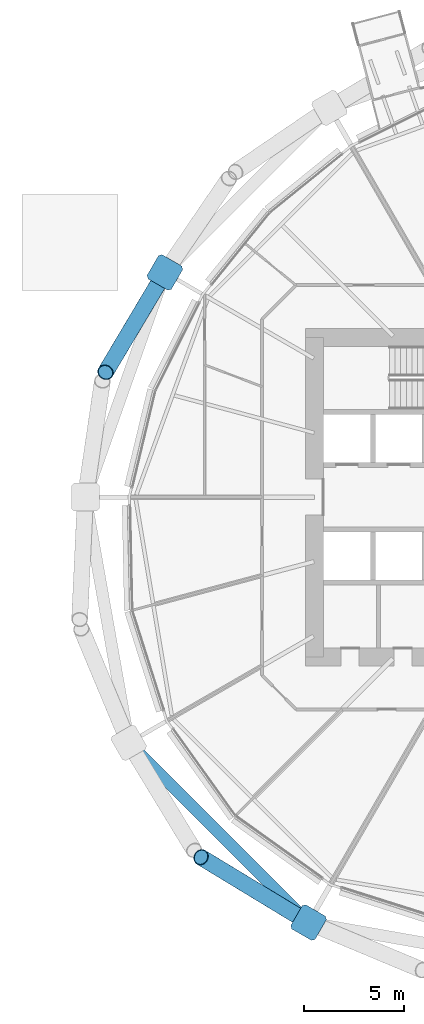
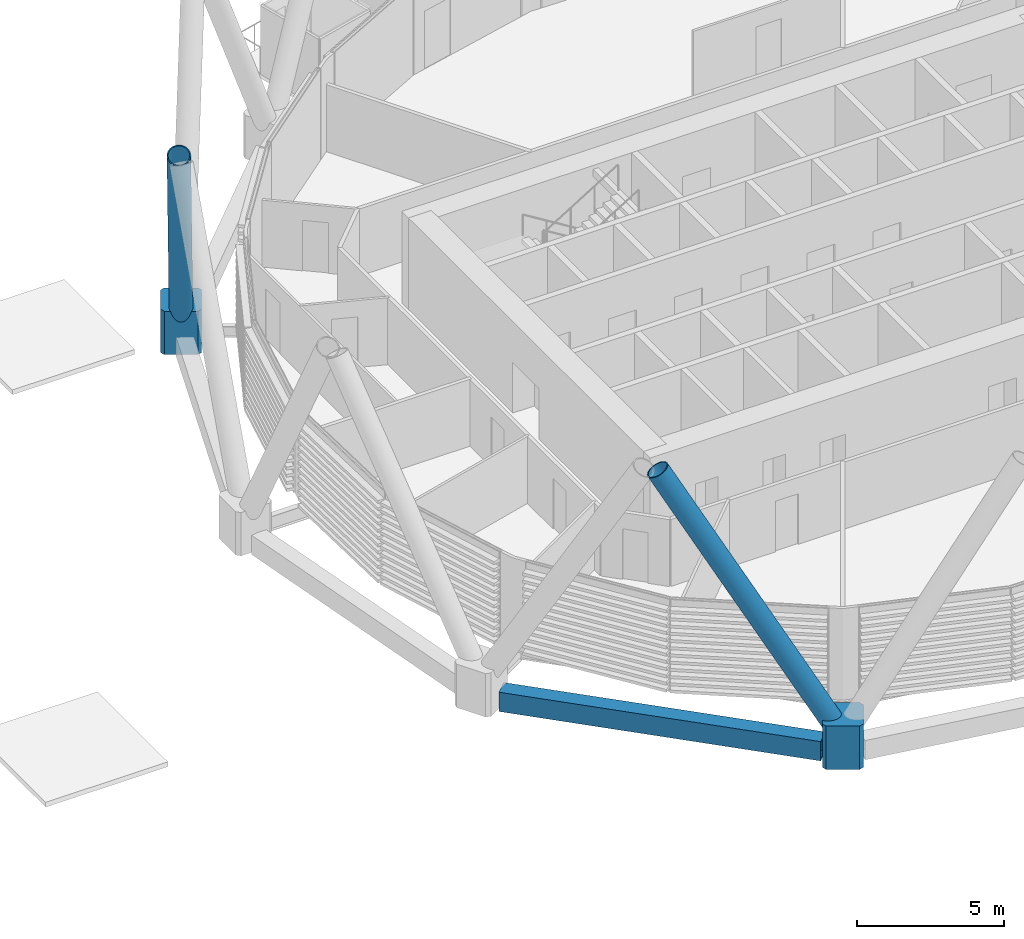
# One storey, part 13 of 34: 4 members, 1 beam.
"""IFC4 building model written with IfcOpenShell, lengths in metres."""

from ifc_helpers import new_model, si_unit, direction, frame, origin, origin_2d, place, context, subcontext, project, spatial, polyline, hollow_rectangle, hollow_circle, outline, extrude, material, material_profile, profile_set, type_object, element, save


model = new_model("IFC4")

# Units and contexts
model_context = context("Model", 3, precision=1e-05, world=origin(), true_north=direction((0.0, 1.0)))
body_context = subcontext(model_context, "Body", "Model", "MODEL_VIEW")
ifc_project = project(units=[si_unit("LENGTHUNIT", "METRE"), si_unit("AREAUNIT", "SQUARE_METRE"), si_unit("VOLUMEUNIT", "CUBIC_METRE"), si_unit("PLANEANGLEUNIT", "RADIAN"), si_unit("MASSUNIT", "GRAM", prefix="KILO")], contexts=[model_context])

# Site, building, storey
site_placement = place(None, origin())
site = spatial("IfcSite", under=ifc_project, at=site_placement, CompositionType="ELEMENT")
building_placement = place(site_placement, origin())
building = spatial("IfcBuilding", under=site, at=building_placement, Name="Rimbun Link Towers", CompositionType="ELEMENT")
storey_placement = place(building_placement, frame((0.0, 0.0, 41.39990234375)))
storey = spatial("IfcBuildingStorey", under=building, at=storey_placement, Name="L09", CompositionType="ELEMENT", Elevation=41.39990234375)

# Members
ifc_material_1 = material(Name="Steel S460NH", Category="steel")
ifc_material_profile_1 = material_profile(ifc_material_1, hollow_circle(Radius=0.406494140625, WallThickness=0.0400390625, at=origin_2d()), Name="Diagrid diagonal CHS 813x40")
ifc_profile_set_1 = profile_set([ifc_material_profile_1], Name="Steel S460NH")
member_type_1 = type_object("IfcMemberType", Name="Diagrid diagonal CHS 813x40", PredefinedType="BRACE", material=ifc_profile_set_1)
member_1_placement = place(storey_placement, frame((12.1318359375, 11.055908203125, 0.441650390625), z_axis=(-0.239911989067, -0.403085764575, 0.883155764233), x_axis=(0.859311636057, -0.511452355686, 0.0)))
element("IfcMember", 1, at=member_1_placement, inside=storey, type_object=member_type_1, Name="Diagrid diagonal T2 L09-L12 07b", PredefinedType="BRACE", context=body_context, shape_type="SweptSolid", body=[
    extrude(hollow_circle(Radius=0.406494140625, WallThickness=0.0400390625, at=origin_2d()), origin(), (0.0, 0.0, 1.0), 11.908203125),
])
member_2_placement = place(storey_placement, frame((19.23583984375, -21.1767578125, 0.43359375), z_axis=(-0.426107998581, 0.258666804949, 0.86690452621), x_axis=(-0.518917122427, -0.854824555129, 0.0)))
element("IfcMember", 2, at=member_2_placement, inside=storey, type_object=member_type_1, Name="Diagrid diagonal T2 L09-L12 13a", PredefinedType="BRACE", context=body_context, shape_type="SweptSolid", body=[
    extrude(hollow_circle(Radius=0.406494140625, WallThickness=0.0400390625, at=origin_2d()), origin(), (0.0, 0.0, 1.0), 12.150146484375),
])
ifc_material_2 = material(Name="Cast steel G20Mn5+QT, Rp0.2 300 MPa", Category="steel")
ifc_material_profile_2 = material_profile(ifc_material_2, outline(polyline([(0.699951171875, -0.570068359375), (0.699951171875, 0.570068359375), (0.570068359375, 0.699951171875), (-0.570068359375, 0.699951171875), (-0.699951171875, 0.570068359375), (-0.699951171875, -0.570068359375), (-0.570068359375, -0.699951171875), (0.570068359375, -0.699951171875), (0.699951171875, -0.570068359375)])), Name="NODE 1400x1400")
ifc_profile_set_2 = profile_set([ifc_material_profile_2], Name="Cast steel G20Mn5+QT, Rp0.2 300 MPa")
member_type_2 = type_object("IfcMemberType", Name="Diagrid node cast 1400", PredefinedType="USERDEFINED", material=ifc_profile_set_2)
for number, where, z_axis, x_axis, name in (
    (3, (12.251708984375, 11.25732421875, -0.89990234375), (0.0, 0.0, 1.0), (-0.866025403784, 0.5, 0.0), "Diagrid node L09 07"),
    (4, (19.448974609375, -21.30615234375, -0.89990234375), (0.0, 0.0, 1.0), (-0.5, -0.866025403784, 0.0), "Diagrid node L09 13"),
):
    element("IfcMember", number, at=place(storey_placement, frame(where, z_axis=z_axis, x_axis=x_axis)), inside=storey, type_object=member_type_2, Name=name, ObjectType="Diagrid node", PredefinedType="USERDEFINED", context=body_context, shape_type="SweptSolid", body=[
        extrude(outline(polyline([(0.699951171875, -0.570068359375), (0.699951171875, 0.570068359375), (0.570068359375, 0.699951171875), (-0.570068359375, 0.699951171875), (-0.699951171875, 0.570068359375), (-0.699951171875, -0.570068359375), (-0.570068359375, -0.699951171875), (0.570068359375, -0.699951171875), (0.699951171875, -0.570068359375)])), origin(), (0.0, 0.0, 1.0), 1.800048828125),
    ])

# Beam
ifc_material_3 = material(Name="Steel S355J2", Category="steel")
ifc_material_profile_3 = material_profile(ifc_material_3, hollow_rectangle(XDim=0.60009765625, YDim=0.800048828125, WallThickness=0.0400390625, at=origin_2d()), Name="Exoskeleton ring girder BOX 600x800x40")
ifc_profile_set_3 = profile_set([ifc_material_profile_3], Name="Steel S355J2")
beam_type = type_object("IfcBeamType", Name="Exoskeleton ring girder BOX 600x800x40", PredefinedType="BEAM", material=ifc_profile_set_3)
beam_placement = place(storey_placement, frame((10.93896484375, -12.796142578125, -0.559814453125), z_axis=(0.707106781187, -0.707106781187, 0.0), x_axis=(0.707106781187, 0.707106781187, 0.0)))
element("IfcBeam", 5, at=beam_placement, inside=storey, type_object=beam_type, Name="Exoskeleton ring girder L09 05", PredefinedType="BEAM", context=body_context, shape_type="SweptSolid", body=[
    extrude(hollow_rectangle(XDim=0.60009765625, YDim=0.800048828125, WallThickness=0.0400390625, at=origin_2d()), origin(), (0.0, 0.0, 1.0), 11.334716796875),
])

save(model, "model.ifc")
